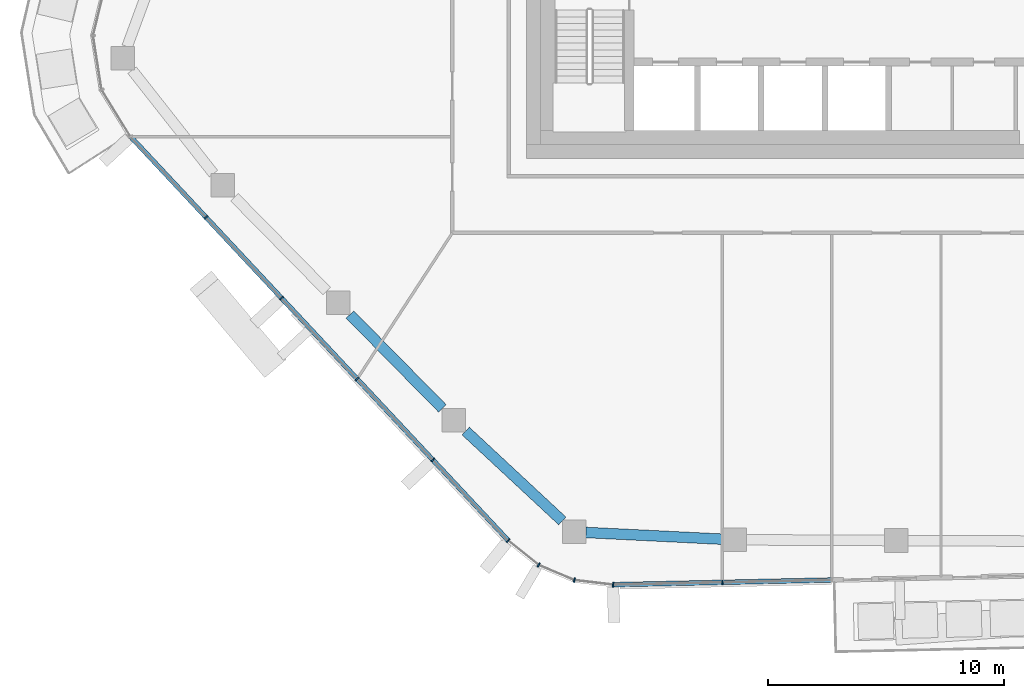
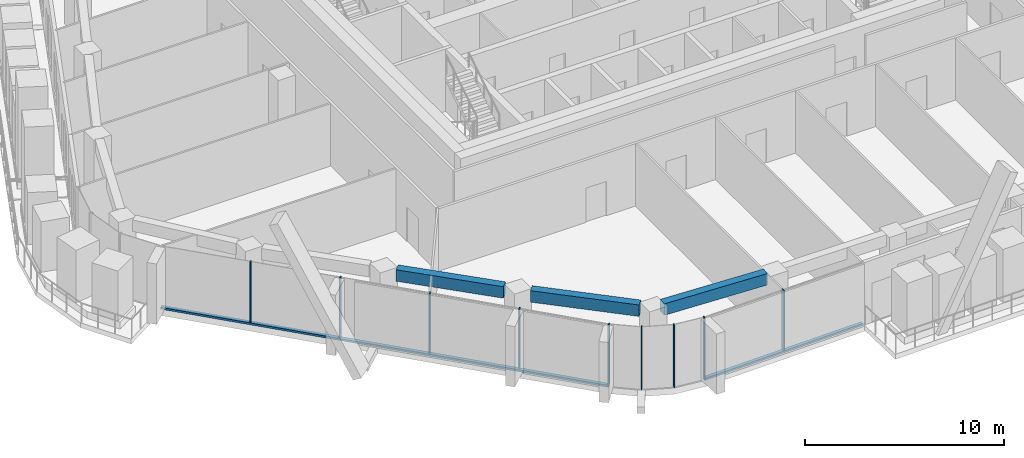
# One storey, part 2 of 23: 11 members, 3 beams, 3 elements without a shape of their own.
"""IFC4 building model written with IfcOpenShell, lengths in metres."""

from ifc_helpers import new_model, si_unit, direction, frame, origin, origin_2d, place, context, subcontext, project, spatial, rectangle, extrude, material, layer, layer_set, material_profile, profile_set, type_object, element, aggregate, save


model = new_model("IFC4")

# Units and contexts
model_context = context("Model", 3, precision=1e-05, world=origin(), true_north=direction((0.0, 1.0)))
body_context = subcontext(model_context, "Body", "Model", "MODEL_VIEW")
ifc_project = project(units=[si_unit("LENGTHUNIT", "METRE"), si_unit("AREAUNIT", "SQUARE_METRE"), si_unit("VOLUMEUNIT", "CUBIC_METRE"), si_unit("PLANEANGLEUNIT", "RADIAN"), si_unit("MASSUNIT", "GRAM", prefix="KILO")], contexts=[model_context])

# Site, building, storey
site_placement = place(None, origin())
site = spatial("IfcSite", under=ifc_project, at=site_placement, CompositionType="ELEMENT")
building_placement = place(site_placement, origin())
building = spatial("IfcBuilding", under=site, at=building_placement, Name="Dongbaek Canopy Tower", CompositionType="ELEMENT")
storey_placement = place(building_placement, frame((0.0, 0.0, 340.39990234375)))
storey = spatial("IfcBuildingStorey", under=building, at=storey_placement, Name="L73", CompositionType="ELEMENT", Elevation=340.39990234375)

# Curtain wall, members
ifc_material_1 = material(Name="Aluminium 6063-T6 pale anodised", Category="aluminium")
ifc_layer = layer(ifc_material_1, 0.199951171875)
ifc_layer_set = layer_set([ifc_layer], Name="CW-1 unitised tower curtain wall")
curtain_wall_type = type_object("IfcCurtainWallType", Name="CW-1 unitised tower curtain wall", PredefinedType="NOTDEFINED", material=ifc_layer_set)
curtain_wall_1_placement = place(storey_placement, origin())
curtain_wall_1 = element("IfcCurtainWall", 1, at=curtain_wall_1_placement, inside=storey, type_object=curtain_wall_type, Name="CW-1 curtain wall F3.1", PredefinedType="NOTDEFINED")
ifc_material_2 = material(Name="Aluminium 6063-T6 pale anodised", Category="aluminium")
ifc_material_profile_1 = material_profile(ifc_material_2, rectangle(XDim=0.199951171875, YDim=0.06005859375, at=origin_2d()), Name="CW-1 mullion 60 x 200")
ifc_profile_set_1 = profile_set([ifc_material_profile_1], Name="Aluminium 6063-T6 pale anodised")
member_type_1 = type_object("IfcMemberType", Name="CW-1 mullion 60 x 200", PredefinedType="MULLION", material=ifc_profile_set_1)
member_1_placement = place(storey_placement, frame((-27.6005859375, -13.486083984375, 0.1201171875), z_axis=(0.0, 0.0, 1.0), x_axis=(-0.730438386022, -0.682978597195, 0.0)))
member_1 = element("IfcMember", 2, at=member_1_placement, type_object=member_type_1, Name="CW-1 mullion F3.1.2", PredefinedType="MULLION", context=body_context, shape_type="SweptSolid", body=[
    extrude(rectangle(XDim=0.199951171875, YDim=0.06005859375, at=origin_2d()), origin(), (0.0, 0.0, 1.0), 3.699951171875),
])
member_2_placement = place(storey_placement, frame((-24.393798828125, -16.915771484375, 0.1201171875), z_axis=(0.0, 0.0, 1.0), x_axis=(-0.730438386022, -0.682978597195, 0.0)))
member_2 = element("IfcMember", 3, at=member_2_placement, type_object=member_type_1, Name="CW-1 mullion F3.1.3", PredefinedType="MULLION", context=body_context, shape_type="SweptSolid", body=[
    extrude(rectangle(XDim=0.199951171875, YDim=0.06005859375, at=origin_2d()), origin(), (0.0, 0.0, 1.0), 3.699951171875),
])
member_3_placement = place(storey_placement, frame((-21.18701171875, -20.345458984375, 0.1201171875), z_axis=(0.0, 0.0, 1.0), x_axis=(-0.730438386022, -0.682978597195, 0.0)))
member_3 = element("IfcMember", 4, at=member_3_placement, type_object=member_type_1, Name="CW-1 mullion F3.1.4", PredefinedType="MULLION", context=body_context, shape_type="SweptSolid", body=[
    extrude(rectangle(XDim=0.199951171875, YDim=0.06005859375, at=origin_2d()), origin(), (0.0, 0.0, 1.0), 3.699951171875),
])
member_4_placement = place(storey_placement, frame((-17.980224609375, -23.775146484375, 0.1201171875), z_axis=(0.0, 0.0, 1.0), x_axis=(-0.730438386022, -0.682978597195, 0.0)))
member_4 = element("IfcMember", 5, at=member_4_placement, type_object=member_type_1, Name="CW-1 mullion F3.1.5", PredefinedType="MULLION", context=body_context, shape_type="SweptSolid", body=[
    extrude(rectangle(XDim=0.199951171875, YDim=0.06005859375, at=origin_2d()), origin(), (0.0, 0.0, 1.0), 3.699951171875),
])
member_5_placement = place(storey_placement, frame((-14.7783203125, -27.19970703125, 0.1201171875), z_axis=(0.0, 0.0, 1.0), x_axis=(-0.730438386022, -0.682978597195, 0.0)))
member_5 = element("IfcMember", 6, at=member_5_placement, type_object=member_type_1, Name="CW-1 mullion F3.1.6", PredefinedType="MULLION", context=body_context, shape_type="SweptSolid", body=[
    extrude(rectangle(XDim=0.199951171875, YDim=0.06005859375, at=origin_2d()), origin(), (0.0, 0.0, 1.0), 3.699951171875),
])

curtain_wall_2_placement = place(storey_placement, origin())
curtain_wall_2 = element("IfcCurtainWall", 7, at=curtain_wall_2_placement, inside=storey, type_object=curtain_wall_type, Name="CW-1 curtain wall K4.1", PredefinedType="NOTDEFINED")
member_6_placement = place(storey_placement, frame((-13.490478515625, -28.238525390625, 0.0), z_axis=(0.0, 0.0, 1.0), x_axis=(-0.513063359077, -0.858350738086, 0.0)))
member_6 = element("IfcMember", 8, at=member_6_placement, type_object=member_type_1, Name="CW-1 mullion K4.1.2", PredefinedType="MULLION", context=body_context, shape_type="SweptSolid", body=[
    extrude(rectangle(XDim=0.199951171875, YDim=0.06005859375, at=origin_2d()), origin(), (0.0, 0.0, 1.0), 3.820068359375),
])
member_7_placement = place(storey_placement, frame((-11.971923828125, -28.878173828125, 0.0), z_axis=(0.0, 0.0, 1.0), x_axis=(-0.255665649821, -0.966765263909, 0.0)))
member_7 = element("IfcMember", 9, at=member_7_placement, type_object=member_type_1, Name="CW-1 mullion K4.1.3", PredefinedType="MULLION", context=body_context, shape_type="SweptSolid", body=[
    extrude(rectangle(XDim=0.199951171875, YDim=0.06005859375, at=origin_2d()), origin(), (0.0, 0.0, 1.0), 3.820068359375),
])
member_8_placement = place(storey_placement, frame((-10.328857421875, -29.07373046875, 0.0), z_axis=(0.0, 0.0, 1.0), x_axis=(-0.118152671581, -0.992995441177, 0.0)))
member_8 = element("IfcMember", 10, at=member_8_placement, type_object=member_type_1, Name="CW-1 mullion K4.1.4", PredefinedType="MULLION", context=body_context, shape_type="SweptSolid", body=[
    extrude(rectangle(XDim=0.199951171875, YDim=0.06005859375, at=origin_2d()), origin(), (0.0, 0.0, 1.0), 3.820068359375),
])
aggregate(curtain_wall_2, [member_6, member_7, member_8])

# Curtain wall, member
curtain_wall_3_placement = place(storey_placement, origin())
curtain_wall_3 = element("IfcCurtainWall", 11, at=curtain_wall_3_placement, inside=storey, type_object=curtain_wall_type, Name="CW-1 curtain wall F4.1", PredefinedType="NOTDEFINED")
member_9_placement = place(storey_placement, frame((-5.698486328125, -28.97314453125, 0.1201171875), z_axis=(0.0, 0.0, 1.0), x_axis=(0.021675843976, -0.999765051294, 0.0)))
member_9 = element("IfcMember", 12, at=member_9_placement, type_object=member_type_1, Name="CW-1 mullion F4.1.2", PredefinedType="MULLION", context=body_context, shape_type="SweptSolid", body=[
    extrude(rectangle(XDim=0.199951171875, YDim=0.06005859375, at=origin_2d()), origin(), (0.0, 0.0, 1.0), 3.699951171875),
])

# Member
ifc_material_3 = material(Name="Aluminium 6063-T6 pale anodised", Category="aluminium")
ifc_material_profile_2 = material_profile(ifc_material_3, rectangle(XDim=0.199951171875, YDim=0.1201171875, at=origin_2d()), Name="CW-1 transom 120 x 200")
ifc_profile_set_2 = profile_set([ifc_material_profile_2], Name="Aluminium 6063-T6 pale anodised")
member_type_2 = type_object("IfcMemberType", Name="CW-1 transom 120 x 200", PredefinedType="USERDEFINED", material=ifc_profile_set_2)
member_10_placement = place(storey_placement, frame((-30.800537109375, -10.063720703125, 0.06005859375), z_axis=(0.682970198952, -0.730446238503, 0.0), x_axis=(0.730446238503, 0.682970198952, 0.0)))
member_10 = element("IfcMember", 13, at=member_10_placement, type_object=member_type_2, Name="CW-1 transom F3.1.1", ObjectType="TRANSOM", PredefinedType="USERDEFINED", context=body_context, shape_type="SweptSolid", body=[
    extrude(rectangle(XDim=0.199951171875, YDim=0.1201171875, at=origin_2d()), origin(), (0.0, 0.0, 1.0), 23.459716796875),
])

aggregate(curtain_wall_1, [member_1, member_2, member_3, member_4, member_5, member_10])

member_11_placement = place(storey_placement, frame((-10.328857421875, -29.07373046875, 0.06005859375), z_axis=(0.999765068463, 0.021675052063, 0.0), x_axis=(-0.021675052063, 0.999765068463, 0.0)))
member_11 = element("IfcMember", 14, at=member_11_placement, type_object=member_type_2, Name="CW-1 transom F4.1.1", ObjectType="TRANSOM", PredefinedType="USERDEFINED", context=body_context, shape_type="SweptSolid", body=[
    extrude(rectangle(XDim=0.199951171875, YDim=0.1201171875, at=origin_2d()), origin(), (0.0, 0.0, 1.0), 9.27001953125),
])

aggregate(curtain_wall_3, [member_9, member_11])

# Beams
ifc_material_4 = material(Name="Concrete C60", Category="concrete")
ifc_material_profile_3 = material_profile(ifc_material_4, rectangle(XDim=0.449951171875, YDim=0.699951171875, at=origin_2d()), Name="RC EDGE BEAM 450x700 C60")
ifc_profile_set_3 = profile_set([ifc_material_profile_3], Name="Concrete C60")
beam_type = type_object("IfcBeamType", Name="RC EDGE BEAM 450x700 C60", PredefinedType="BEAM", material=ifc_profile_set_3)
beam_1_placement = place(storey_placement, frame((-5.666015625, -27.142333984375, 3.47021484375), z_axis=(-0.998789160621, 0.049195656579, 0.0), x_axis=(-0.049195656579, -0.998789160621, 0.0)))
element("IfcBeam", 15, at=beam_1_placement, inside=storey, type_object=beam_type, Name="EDGEBEAM:L73:03", PredefinedType="BEAM", context=body_context, shape_type="SweptSolid", body=[
    extrude(rectangle(XDim=0.449951171875, YDim=0.699951171875, at=origin_2d()), origin(), (0.0, 0.0, 1.0), 5.826171875),
])
beam_2_placement = place(storey_placement, frame((-12.485107421875, -26.365966796875, 3.47021484375), z_axis=(-0.732266655485, 0.681018021248, 0.0), x_axis=(-0.681018021248, -0.732266655485, 0.0)))
element("IfcBeam", 16, at=beam_2_placement, inside=storey, type_object=beam_type, Name="EDGEBEAM:L73:04", PredefinedType="BEAM", context=body_context, shape_type="SweptSolid", body=[
    extrude(rectangle(XDim=0.449951171875, YDim=0.699951171875, at=origin_2d()), origin(), (0.0, 0.0, 1.0), 5.597412109375),
])
beam_3_placement = place(storey_placement, frame((-17.576416015625, -21.589111328125, 3.47021484375), z_axis=(-0.701706740597, 0.712465894062, 0.0), x_axis=(-0.712465894062, -0.701706740597, 0.0)))
element("IfcBeam", 17, at=beam_3_placement, inside=storey, type_object=beam_type, Name="EDGEBEAM:L73:05", PredefinedType="BEAM", context=body_context, shape_type="SweptSolid", body=[
    extrude(rectangle(XDim=0.449951171875, YDim=0.699951171875, at=origin_2d()), origin(), (0.0, 0.0, 1.0), 5.58203125),
])

save(model, "model.ifc")
